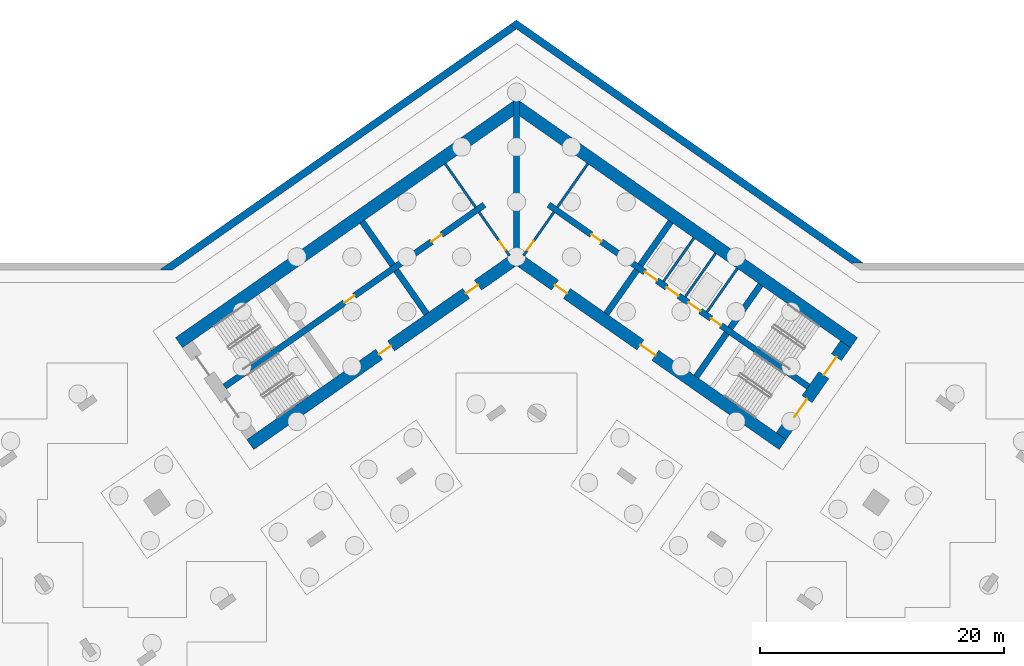
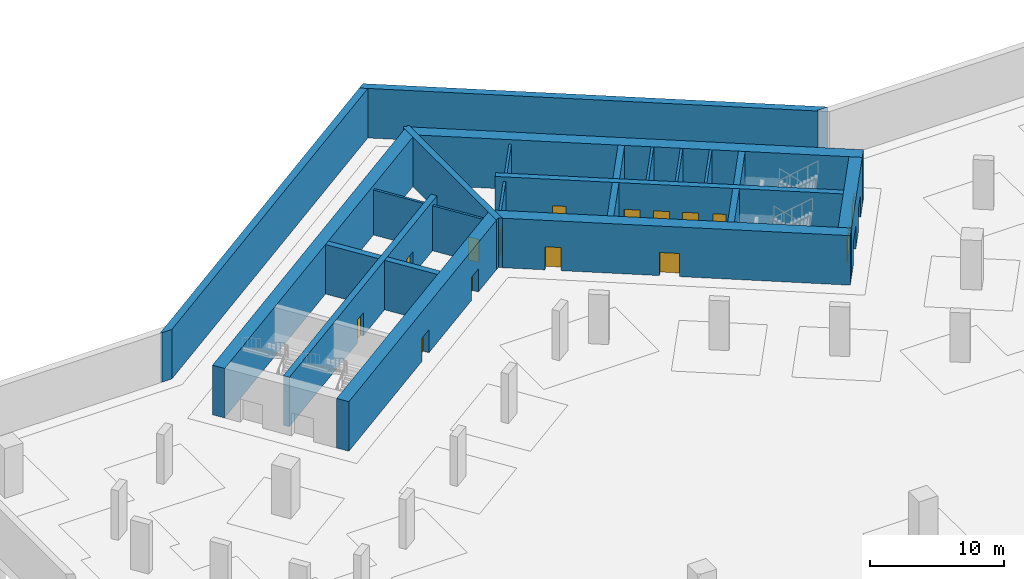
# One storey, part 8 of 13: 23 walls, 15 doors, 15 openings.
"""IFC4 building model written with IfcOpenShell, lengths in metres."""

from ifc_helpers import new_model, si_unit, direction, frame, frame_2d, origin, place, context, subcontext, project, spatial, polyline, rectangle, outline, extrude, material, layer, layer_set, type_object, element, fill, save


model = new_model("IFC4")

# Units and contexts
model_context = context("Model", 3, precision=1e-05, world=origin(), true_north=direction((0.0, 1.0)))
body_context = subcontext(model_context, "Body", "Model", "MODEL_VIEW")
ifc_project = project(units=[si_unit("LENGTHUNIT", "METRE"), si_unit("AREAUNIT", "SQUARE_METRE"), si_unit("VOLUMEUNIT", "CUBIC_METRE"), si_unit("PLANEANGLEUNIT", "RADIAN"), si_unit("MASSUNIT", "GRAM", prefix="KILO")], contexts=[model_context])

# Site, building, storey
site_placement = place(None, origin())
site = spatial("IfcSite", under=ifc_project, at=site_placement, CompositionType="ELEMENT")
building_placement = place(site_placement, origin())
building = spatial("IfcBuilding", under=site, at=building_placement, Name="Tel Ilan Convention Tower", CompositionType="ELEMENT")
storey_placement = place(building_placement, frame((0.0, 0.0, -9.0)))
storey = spatial("IfcBuildingStorey", under=building, at=storey_placement, Name="B2", CompositionType="ELEMENT", Elevation=-9.0)

# Walls
ifc_material_1 = material(Name="Concrete C40/50", Category="concrete")
ifc_layer_1 = layer(ifc_material_1, 0.60009765625)
ifc_layer_set_1 = layer_set([ifc_layer_1], Name="Basement Retaining Wall 600 mm C40/50")
wall_type_1 = type_object("IfcWallType", Name="Basement Retaining Wall 600 mm C40/50", PredefinedType="SOLIDWALL", material=ifc_layer_set_1)
wall_1_placement = place(storey_placement, frame((28.279541015625, -1.24560546875, 0.0), z_axis=(0.0, 0.0, 1.0), x_axis=(-0.819154640404, 0.573572728697, 0.0)))
element("IfcWall", 1, at=wall_1_placement, inside=storey, type_object=wall_type_1, Name="B2 retaining wall 4", PredefinedType="SOLIDWALL", context=body_context, shape_type="SweptSolid", body=[
    extrude(outline(polyline([(5.786865234375, -0.300048828125), (0.0, -0.2998046875), (0.737060546875, 0.21630859375), (0.678466796875, 0.300048828125), (-0.189208984375, 0.300048828125), (34.951171875, 0.300048828125), (34.73291015625, -0.300048828125), (5.786865234375, -0.300048828125)])), origin(), (0.0, 0.0, 1.0), 4.5),
])
wall_2_placement = place(storey_placement, frame((0.172119140625, 18.67626953125, 0.0), z_axis=(0.0, 0.0, 1.0), x_axis=(-0.819154640404, -0.573572728697, 0.0)))
element("IfcWall", 2, at=wall_2_placement, inside=storey, type_object=wall_type_1, Name="B2 retaining wall 5", PredefinedType="SOLIDWALL", context=body_context, shape_type="SweptSolid", body=[
    extrude(outline(polyline([(34.922119140625, 0.300048828125), (35.633056640625, -0.197509765625), (35.633056640625, -0.2998046875), (28.946044921875, -0.300048828125), (0.638427734375, -0.300048828125), (0.420166015625, 0.300048828125), (34.922119140625, 0.300048828125)])), origin(), (0.0, 0.0, 1.0), 4.5),
])

# Wall, opening, door
ifc_material_2 = material(Name="Concrete C30/37", Category="concrete")
ifc_layer_2 = layer(ifc_material_2, 0.199951171875)
ifc_layer_set_2 = layer_set([ifc_layer_2], Name="Core Service Room Wall 200 mm C30/37")
wall_type_2 = type_object("IfcWallType", Name="Core Service Room Wall 200 mm C30/37", PredefinedType="SOLIDWALL", material=ifc_layer_set_2)
wall_3_placement = place(storey_placement, frame((-0.573486328125, -0.401611328125, 0.0), z_axis=(0.0, 0.0, 1.0), x_axis=(-0.57356780395, 0.819158088694, 0.0)))
wall_3 = element("IfcWall", 3, at=wall_3_placement, inside=storey, type_object=wall_type_2, Name="B2 core wall apex-W", PredefinedType="SOLIDWALL", context=body_context, shape_type="SweptSolid", body=[
    extrude(rectangle(XDim=4.35009765625, YDim=0.199951171875, at=frame_2d((2.175048828125, 0.0))), origin(), (0.0, 0.0, 1.0), 4.090087890625),
])
opening_1_placement = place(wall_3_placement, frame((0.550048828125, 0.0, 0.0)))
opening_1 = element("IfcOpeningElement", 4, at=opening_1_placement, cuts=wall_3, Name="Opening CD0102", PredefinedType="OPENING", context=body_context, shape_type="SweptSolid", body=[
    extrude(rectangle(XDim=0.89990234375, YDim=2.10009765625, at=frame_2d((0.449951171875, 1.050048828125))), frame((0.0, 0.10986328125, 0.0), z_axis=(0.0, -1.0, 0.0), x_axis=(1.0, 0.0, 0.0)), (0.0, 0.0, 1.0), 0.219970703125),
])
ifc_material_3 = material(Name="Galvanised Steel Door Leaf", Category="steel")
door_type_1 = type_object("IfcDoorType", Name="Service Room Door 900 x 2100 FD60", OperationType="NOTDEFINED", PredefinedType="DOOR", material=ifc_material_3)
door_1_placement = place(opening_1_placement, origin())
door_1 = element("IfcDoor", 5, at=door_1_placement, inside=storey, type_object=door_type_1, Name="Pump Room door", OperationType="SINGLE_SWING_RIGHT", OverallHeight=2.10009765625, OverallWidth=0.89990234375, PredefinedType="DOOR", context=body_context, shape_type="SweptSolid", body=[
    extrude(rectangle(XDim=0.89990234375, YDim=2.10009765625, at=frame_2d((0.449951171875, 1.050048828125))), frame((0.0, 0.02490234375, 0.0), z_axis=(0.0, -1.0, 0.0), x_axis=(1.0, 0.0, 0.0)), (0.0, 0.0, 1.0), 0.050048828125),
])
fill(opening_1, door_1)

# Wall
wall_4_placement = place(storey_placement, frame((-3.355224609375, 3.5712890625, 0.0), z_axis=(0.0, 0.0, 1.0), x_axis=(-0.57356780395, 0.819158088694, 0.0)))
element("IfcWall", 6, at=wall_4_placement, inside=storey, type_object=wall_type_2, Name="B2 core wall apex-W-b", PredefinedType="SOLIDWALL", context=body_context, shape_type="SweptSolid", body=[
    extrude(rectangle(XDim=4.35009765625, YDim=0.199951171875, at=frame_2d((2.175048828125, 0.0))), origin(), (0.0, 0.0, 1.0), 4.090087890625),
])

# Wall, opening, door
wall_5_placement = place(storey_placement, frame((0.573486328125, -0.401611328125, 0.0), z_axis=(0.0, 0.0, 1.0), x_axis=(0.57356780395, 0.819158088694, 0.0)))
wall_5 = element("IfcWall", 7, at=wall_5_placement, inside=storey, type_object=wall_type_2, Name="B2 core wall apex-E", PredefinedType="SOLIDWALL", context=body_context, shape_type="SweptSolid", body=[
    extrude(rectangle(XDim=4.35009765625, YDim=0.199951171875, at=frame_2d((2.175048828125, 0.0))), origin(), (0.0, 0.0, 1.0), 4.090087890625),
])
opening_2_placement = place(wall_5_placement, frame((0.550048828125, 0.0, 0.0)))
opening_2 = element("IfcOpeningElement", 8, at=opening_2_placement, cuts=wall_5, Name="Opening CD0101", PredefinedType="OPENING", context=body_context, shape_type="SweptSolid", body=[
    extrude(rectangle(XDim=0.89990234375, YDim=2.10009765625, at=frame_2d((0.449951171875, 1.050048828125))), frame((0.0, 0.10986328125, 0.0), z_axis=(0.0, -1.0, 0.0), x_axis=(1.0, 0.0, 0.0)), (0.0, 0.0, 1.0), 0.219970703125),
])
door_2_placement = place(opening_2_placement, origin())
door_2 = element("IfcDoor", 9, at=door_2_placement, inside=storey, type_object=door_type_1, Name="Sump and Sprinkler Control Room door", OperationType="SINGLE_SWING_RIGHT", OverallHeight=2.10009765625, OverallWidth=0.89990234375, PredefinedType="DOOR", context=body_context, shape_type="SweptSolid", body=[
    extrude(rectangle(XDim=0.89990234375, YDim=2.10009765625, at=frame_2d((0.449951171875, 1.050048828125))), frame((0.0, 0.02490234375, 0.0), z_axis=(0.0, -1.0, 0.0), x_axis=(1.0, 0.0, 0.0)), (0.0, 0.0, 1.0), 0.050048828125),
])
fill(opening_2, door_2)

# Walls
wall_6_placement = place(storey_placement, frame((3.355224609375, 3.5712890625, 0.0), z_axis=(0.0, 0.0, 1.0), x_axis=(0.57356780395, 0.819158088694, 0.0)))
element("IfcWall", 10, at=wall_6_placement, inside=storey, type_object=wall_type_2, Name="B2 core wall apex-E-b", PredefinedType="SOLIDWALL", context=body_context, shape_type="SweptSolid", body=[
    extrude(rectangle(XDim=4.35009765625, YDim=0.199951171875, at=frame_2d((2.175048828125, 0.0))), origin(), (0.0, 0.0, 1.0), 4.090087890625),
])
ifc_material_4 = material(Name="Concrete C60/75", Category="concrete")
ifc_layer_3 = layer(ifc_material_4, 1.0)
ifc_layer_set_3 = layer_set([ifc_layer_3], Name="Core Shear Wall 1000 mm C60/75")
wall_type_3 = type_object("IfcWallType", Name="Core Shear Wall 1000 mm C60/75", PredefinedType="SHEAR", material=ifc_layer_set_3)
wall_7_placement = place(storey_placement, frame((0.036865234375, 11.8671875, 0.0), z_axis=(0.0, 0.0, 1.0), x_axis=(-0.819155306259, -0.573571777746, 0.0)))
element("IfcWall", 11, at=wall_7_placement, inside=storey, type_object=wall_type_3, Name="B2 core wall W-back", PredefinedType="SHEAR", context=body_context, shape_type="SweptSolid", body=[
    extrude(outline(polyline([(33.8369140625, 0.5), (0.7001953125, 0.499755859375), (0.0, -0.5), (33.8369140625, -0.5), (33.8369140625, 0.5)])), origin(), (0.0, 0.0, 1.0), 4.5),
])

# Wall, openings, doors
wall_8_placement = place(storey_placement, frame((0.036865234375, -0.584716796875, 0.0), z_axis=(0.0, 0.0, 1.0), x_axis=(-0.819157152511, -0.573569140985, 0.0)))
wall_8 = element("IfcWall", 12, at=wall_8_placement, inside=storey, type_object=wall_type_3, Name="B2 core wall W-front", PredefinedType="SHEAR", context=body_context, shape_type="SweptSolid", body=[
    extrude(outline(polyline([(26.69482421875, 0.500244140625), (0.7001953125, 0.499755859375), (0.0, -0.5), (26.69482421875, -0.499755859375), (26.69482421875, 0.500244140625)])), origin(), (0.0, 0.0, 1.0), 4.5),
])
opening_3_placement = place(wall_8_placement, frame((3.894775390625, 0.0, 0.0)))
opening_3 = element("IfcOpeningElement", 13, at=opening_3_placement, cuts=wall_8, Name="Opening CD0105", PredefinedType="OPENING", context=body_context, shape_type="SweptSolid", body=[
    extrude(rectangle(XDim=1.199951171875, YDim=2.10009765625, at=frame_2d((0.60009765625, 1.050048828125))), frame((0.0, 0.510009765625, 0.0), z_axis=(0.0, -1.0, 0.0), x_axis=(1.0, 0.0, 0.0)), (0.0, 0.0, 1.0), 1.02001953125),
])
opening_4_placement = place(wall_8_placement, frame((12.5947265625, 0.0, 0.0)))
opening_4 = element("IfcOpeningElement", 14, at=opening_4_placement, cuts=wall_8, Name="Opening CD0106", PredefinedType="OPENING", context=body_context, shape_type="SweptSolid", body=[
    extrude(rectangle(XDim=1.199951171875, YDim=2.10009765625, at=frame_2d((0.60009765625, 1.050048828125))), frame((0.0, 0.510009765625, 0.0), z_axis=(0.0, -1.0, 0.0), x_axis=(1.0, 0.0, 0.0)), (0.0, 0.0, 1.0), 1.02001953125),
])
ifc_material_5 = material(Name="Galvanised Steel Door Leaf", Category="steel")
door_type_2 = type_object("IfcDoorType", Name="Service Room Door 1200 x 2100 FD60", OperationType="NOTDEFINED", PredefinedType="DOOR", material=ifc_material_5)
door_3_placement = place(opening_3_placement, origin())
door_3 = element("IfcDoor", 15, at=door_3_placement, inside=storey, type_object=door_type_2, Name="Plant Room W1 door", OperationType="SINGLE_SWING_RIGHT", OverallHeight=2.10009765625, OverallWidth=1.199951171875, PredefinedType="DOOR", context=body_context, shape_type="SweptSolid", body=[
    extrude(rectangle(XDim=1.199951171875, YDim=2.10009765625, at=frame_2d((0.60009765625, 1.050048828125))), frame((0.0, 0.02490234375, 0.0), z_axis=(0.0, -1.0, 0.0), x_axis=(1.0, 0.0, 0.0)), (0.0, 0.0, 1.0), 0.050048828125),
])
fill(opening_3, door_3)
door_4_placement = place(opening_4_placement, origin())
door_4 = element("IfcDoor", 16, at=door_4_placement, inside=storey, type_object=door_type_2, Name="Plant Room W2 door", OperationType="SINGLE_SWING_RIGHT", OverallHeight=2.10009765625, OverallWidth=1.199951171875, PredefinedType="DOOR", context=body_context, shape_type="SweptSolid", body=[
    extrude(rectangle(XDim=1.199951171875, YDim=2.10009765625, at=frame_2d((0.60009765625, 1.050048828125))), frame((0.0, 0.02490234375, 0.0), z_axis=(0.0, -1.0, 0.0), x_axis=(1.0, 0.0, 0.0)), (0.0, 0.0, 1.0), 0.050048828125),
])
fill(opening_4, door_4)

# Wall
wall_9_placement = place(storey_placement, frame((-0.036865234375, 11.8671875, 0.0), z_axis=(0.0, 0.0, 1.0), x_axis=(0.819155306259, -0.573571777746, 0.0)))
element("IfcWall", 17, at=wall_9_placement, inside=storey, type_object=wall_type_3, Name="B2 core wall E-back", PredefinedType="SHEAR", context=body_context, shape_type="SweptSolid", body=[
    extrude(outline(polyline([(33.8369140625, 0.5), (0.0, 0.5), (0.7001953125, -0.499755859375), (33.8369140625, -0.5), (33.8369140625, 0.5)])), origin(), (0.0, 0.0, 1.0), 4.5),
])

# Wall, openings, doors
wall_10_placement = place(storey_placement, frame((-0.036865234375, -0.584716796875, 0.0), z_axis=(0.0, 0.0, 1.0), x_axis=(0.819157152511, -0.573569140985, 0.0)))
wall_10 = element("IfcWall", 18, at=wall_10_placement, inside=storey, type_object=wall_type_3, Name="B2 core wall E-front", PredefinedType="SHEAR", context=body_context, shape_type="SweptSolid", body=[
    extrude(outline(polyline([(26.69482421875, 0.499755859375), (0.0, 0.5), (0.7001953125, -0.499755859375), (26.69482421875, -0.500244140625), (26.69482421875, 0.499755859375)])), origin(), (0.0, 0.0, 1.0), 4.5),
])
opening_5_placement = place(wall_10_placement, frame((3.894775390625, 0.0, 0.0)))
opening_5 = element("IfcOpeningElement", 19, at=opening_5_placement, cuts=wall_10, Name="Opening CD0103", PredefinedType="OPENING", context=body_context, shape_type="SweptSolid", body=[
    extrude(rectangle(XDim=1.199951171875, YDim=2.10009765625, at=frame_2d((0.60009765625, 1.050048828125))), frame((0.0, 0.510009765625, 0.0), z_axis=(0.0, -1.0, 0.0), x_axis=(1.0, 0.0, 0.0)), (0.0, 0.0, 1.0), 1.02001953125),
])
opening_6_placement = place(wall_10_placement, frame((12.44482421875, 0.0, 0.0)))
opening_6 = element("IfcOpeningElement", 20, at=opening_6_placement, cuts=wall_10, Name="Opening CD0104", PredefinedType="OPENING", context=body_context, shape_type="SweptSolid", body=[
    extrude(rectangle(XDim=1.5, YDim=2.10009765625, at=frame_2d((0.75, 1.050048828125))), frame((0.0, 0.510009765625, 0.0), z_axis=(0.0, -1.0, 0.0), x_axis=(1.0, 0.0, 0.0)), (0.0, 0.0, 1.0), 1.02001953125),
])
ifc_material_6 = material(Name="Glazed Aluminium Door Leaf", Category="aluminium")
door_type_3 = type_object("IfcDoorType", Name="Lobby Opening Door 1500 x 2100 FD60S", OperationType="NOTDEFINED", PredefinedType="DOOR", material=ifc_material_6)
door_5_placement = place(opening_6_placement, origin())
door_5 = element("IfcDoor", 21, at=door_5_placement, inside=storey, type_object=door_type_3, Name="Firefighting Lobby door", OperationType="DOUBLE_DOOR_SINGLE_SWING", OverallHeight=2.10009765625, OverallWidth=1.5, PredefinedType="DOOR", context=body_context, shape_type="SweptSolid", body=[
    extrude(rectangle(XDim=1.5, YDim=2.10009765625, at=frame_2d((0.75, 1.050048828125))), frame((0.0, 0.02490234375, 0.0), z_axis=(0.0, -1.0, 0.0), x_axis=(1.0, 0.0, 0.0)), (0.0, 0.0, 1.0), 0.050048828125),
])
fill(opening_6, door_5)
door_6_placement = place(opening_5_placement, origin())
door_6 = element("IfcDoor", 22, at=door_6_placement, inside=storey, type_object=door_type_2, Name="Plant Room E1 door", OperationType="SINGLE_SWING_RIGHT", OverallHeight=2.10009765625, OverallWidth=1.199951171875, PredefinedType="DOOR", context=body_context, shape_type="SweptSolid", body=[
    extrude(rectangle(XDim=1.199951171875, YDim=2.10009765625, at=frame_2d((0.60009765625, 1.050048828125))), frame((0.0, 0.02490234375, 0.0), z_axis=(0.0, -1.0, 0.0), x_axis=(1.0, 0.0, 0.0)), (0.0, 0.0, 1.0), 0.050048828125),
])
fill(opening_5, door_6)

wall_11_placement = place(storey_placement, frame((21.70751953125, -15.19970703125, 0.0), z_axis=(0.0, 0.0, 1.0), x_axis=(0.573576324356, 0.819152122709, 0.0)))
wall_11 = element("IfcWall", 23, at=wall_11_placement, inside=storey, type_object=wall_type_3, Name="B2 core wall E-end", PredefinedType="SHEAR", context=body_context, shape_type="SweptSolid", body=[
    extrude(outline(polyline([(9.199951171875, 0.5), (0.0, 0.5), (0.0, -0.5), (9.199951171875, -0.5), (9.199951171875, 0.5)])), origin(), (0.0, 0.0, 1.0), 4.5),
])
opening_7_placement = place(wall_11_placement, frame((6.10009765625, 0.0, 0.0)))
opening_7 = element("IfcOpeningElement", 24, at=opening_7_placement, cuts=wall_11, Name="Opening SD0103", PredefinedType="OPENING", context=body_context, shape_type="SweptSolid", body=[
    extrude(rectangle(XDim=1.800048828125, YDim=2.10009765625, at=frame_2d((0.89990234375, 1.050048828125))), frame((0.0, 0.510009765625, 0.0), z_axis=(0.0, -1.0, 0.0), x_axis=(1.0, 0.0, 0.0)), (0.0, 0.0, 1.0), 1.02001953125),
])
opening_8_placement = place(wall_11_placement, frame((1.89990234375, 0.0, 0.0)))
opening_8 = element("IfcOpeningElement", 25, at=opening_8_placement, cuts=wall_11, Name="Opening SD0104", PredefinedType="OPENING", context=body_context, shape_type="SweptSolid", body=[
    extrude(rectangle(XDim=1.800048828125, YDim=2.10009765625, at=frame_2d((0.89990234375, 1.050048828125))), frame((0.0, 0.510009765625, 0.0), z_axis=(0.0, -1.0, 0.0), x_axis=(1.0, 0.0, 0.0)), (0.0, 0.0, 1.0), 1.02001953125),
])
ifc_material_7 = material(Name="Galvanised Steel Door Leaf", Category="steel")
door_type_4 = type_object("IfcDoorType", Name="Stair Fire Door 1800 x 2100 FD60S", OperationType="NOTDEFINED", PredefinedType="DOOR", material=ifc_material_7)
door_7_placement = place(opening_7_placement, origin())
door_7 = element("IfcDoor", 26, at=door_7_placement, inside=storey, type_object=door_type_4, Name="Stair S3 door", OperationType="DOUBLE_DOOR_SINGLE_SWING", OverallHeight=2.10009765625, OverallWidth=1.800048828125, PredefinedType="DOOR", context=body_context, shape_type="SweptSolid", body=[
    extrude(rectangle(XDim=1.800048828125, YDim=2.10009765625, at=frame_2d((0.89990234375, 1.050048828125))), frame((0.0, 0.02490234375, 0.0), z_axis=(0.0, -1.0, 0.0), x_axis=(1.0, 0.0, 0.0)), (0.0, 0.0, 1.0), 0.050048828125),
])
fill(opening_7, door_7)
door_8_placement = place(opening_8_placement, origin())
door_8 = element("IfcDoor", 27, at=door_8_placement, inside=storey, type_object=door_type_4, Name="Stair S4 door", OperationType="DOUBLE_DOOR_SINGLE_SWING", OverallHeight=2.10009765625, OverallWidth=1.800048828125, PredefinedType="DOOR", context=body_context, shape_type="SweptSolid", body=[
    extrude(rectangle(XDim=1.800048828125, YDim=2.10009765625, at=frame_2d((0.89990234375, 1.050048828125))), frame((0.0, 0.02490234375, 0.0), z_axis=(0.0, -1.0, 0.0), x_axis=(1.0, 0.0, 0.0)), (0.0, 0.0, 1.0), 0.050048828125),
])
fill(opening_8, door_8)

# Walls
ifc_material_8 = material(Name="Concrete C60/75", Category="concrete")
ifc_layer_4 = layer(ifc_material_8, 0.5)
ifc_layer_set_4 = layer_set([ifc_layer_4], Name="Core Shear Wall 500 mm C60/75")
wall_type_4 = type_object("IfcWallType", Name="Core Shear Wall 500 mm C60/75", PredefinedType="SHEAR", material=ifc_layer_set_4)
wall_12_placement = place(storey_placement, frame((-7.372314453125, -5.162109375, 0.0), z_axis=(0.0, 0.0, 1.0), x_axis=(-0.573594173421, 0.819139624372, 0.0)))
element("IfcWall", 28, at=wall_12_placement, inside=storey, type_object=wall_type_4, Name="B2 core wall W-cross1-1", PredefinedType="SHEAR", context=body_context, shape_type="SweptSolid", body=[
    extrude(outline(polyline([(4.349853515625, 0.25), (0.0, 0.250244140625), (0.0, -0.25), (4.349853515625, -0.25), (4.349853515625, 0.25)])), origin(), (0.0, 0.0, 1.0), 4.5),
])
wall_13_placement = place(storey_placement, frame((-10.154296875, -1.189208984375, 0.0), z_axis=(0.0, 0.0, 1.0), x_axis=(-0.573594173421, 0.819139624372, 0.0)))
element("IfcWall", 29, at=wall_13_placement, inside=storey, type_object=wall_type_4, Name="B2 core wall W-cross1-2", PredefinedType="SHEAR", context=body_context, shape_type="SweptSolid", body=[
    extrude(outline(polyline([(4.349853515625, -0.25), (4.349853515625, 0.25), (-0.000244140625, 0.25), (-0.000244140625, -0.25), (4.349853515625, -0.25)])), origin(), (0.0, 0.0, 1.0), 4.5),
])

# Wall, openings, doors
wall_14_placement = place(storey_placement, frame((-2.638427734375, 3.76806640625, 0.0), z_axis=(0.0, 0.0, 1.0), x_axis=(-0.819148977158, -0.573580816643, 0.0)))
wall_14 = element("IfcWall", 30, at=wall_14_placement, inside=storey, type_object=wall_type_4, Name="B2 core wall W-spine", PredefinedType="SHEAR", context=body_context, shape_type="SweptSolid", body=[
    extrude(outline(polyline([(26.0, 0.249755859375), (0.0, 0.25), (0.0, -0.25), (26.0, -0.250244140625), (26.0, 0.249755859375)])), origin(), (0.0, 0.0, 1.0), 4.5),
])
opening_9_placement = place(wall_14_placement, frame((4.27490234375, 0.0, 0.0)))
opening_9 = element("IfcOpeningElement", 31, at=opening_9_placement, cuts=wall_14, Name="Opening CD0109", PredefinedType="OPENING", context=body_context, shape_type="SweptSolid", body=[
    extrude(rectangle(XDim=1.0, YDim=2.10009765625, at=frame_2d((0.5, 1.050048828125))), frame((0.0, 0.260009765625, 0.0), z_axis=(0.0, -1.0, 0.0), x_axis=(1.0, 0.0, 0.0)), (0.0, 0.0, 1.0), 0.52001953125),
])
opening_10_placement = place(wall_14_placement, frame((13.0, 0.0, 0.0)))
opening_10 = element("IfcOpeningElement", 32, at=opening_10_placement, cuts=wall_14, Name="Opening CD0110", PredefinedType="OPENING", context=body_context, shape_type="SweptSolid", body=[
    extrude(rectangle(XDim=1.0, YDim=2.10009765625, at=frame_2d((0.5, 1.050048828125))), frame((0.0, 0.260009765625, 0.0), z_axis=(0.0, -1.0, 0.0), x_axis=(1.0, 0.0, 0.0)), (0.0, 0.0, 1.0), 0.52001953125),
])
ifc_material_9 = material(Name="Galvanised Steel Door Leaf", Category="steel")
door_type_5 = type_object("IfcDoorType", Name="Service Room Door 1000 x 2100 FD60", OperationType="NOTDEFINED", PredefinedType="DOOR", material=ifc_material_9)
door_9_placement = place(opening_9_placement, origin())
door_9 = element("IfcDoor", 33, at=door_9_placement, inside=storey, type_object=door_type_5, Name="Plant Room door", OperationType="SINGLE_SWING_RIGHT", OverallHeight=2.10009765625, OverallWidth=1.0, PredefinedType="DOOR", context=body_context, shape_type="SweptSolid", body=[
    extrude(rectangle(XDim=1.0, YDim=2.10009765625, at=frame_2d((0.5, 1.050048828125))), frame((0.0, 0.02490234375, 0.0), z_axis=(0.0, -1.0, 0.0), x_axis=(1.0, 0.0, 0.0)), (0.0, 0.0, 1.0), 0.050048828125),
])
fill(opening_9, door_9)
door_10_placement = place(opening_10_placement, origin())
door_10 = element("IfcDoor", 34, at=door_10_placement, inside=storey, type_object=door_type_5, Name="Plant Room door", OperationType="SINGLE_SWING_RIGHT", OverallHeight=2.10009765625, OverallWidth=1.0, PredefinedType="DOOR", context=body_context, shape_type="SweptSolid", body=[
    extrude(rectangle(XDim=1.0, YDim=2.10009765625, at=frame_2d((0.5, 1.050048828125))), frame((0.0, 0.02490234375, 0.0), z_axis=(0.0, -1.0, 0.0), x_axis=(1.0, 0.0, 0.0)), (0.0, 0.0, 1.0), 0.050048828125),
])
fill(opening_10, door_10)

# Walls
wall_15_placement = place(storey_placement, frame((7.372314453125, -5.162109375, 0.0), z_axis=(0.0, 0.0, 1.0), x_axis=(0.573594173421, 0.819139624372, 0.0)))
element("IfcWall", 35, at=wall_15_placement, inside=storey, type_object=wall_type_4, Name="B2 core wall E-cross1-1", PredefinedType="SHEAR", context=body_context, shape_type="SweptSolid", body=[
    extrude(outline(polyline([(0.0, 0.25), (0.0, -0.250244140625), (4.349853515625, -0.25), (4.349853515625, 0.25), (0.0, 0.25)])), origin(), (0.0, 0.0, 1.0), 4.5),
])
wall_16_placement = place(storey_placement, frame((10.154296875, -1.189208984375, 0.0), z_axis=(0.0, 0.0, 1.0), x_axis=(0.573594173421, 0.819139624372, 0.0)))
element("IfcWall", 36, at=wall_16_placement, inside=storey, type_object=wall_type_4, Name="B2 core wall E-cross1-2", PredefinedType="SHEAR", context=body_context, shape_type="SweptSolid", body=[
    extrude(outline(polyline([(4.349853515625, -0.25), (4.349853515625, 0.25), (-0.000244140625, 0.25), (-0.000244140625, -0.25), (4.349853515625, -0.25)])), origin(), (0.0, 0.0, 1.0), 4.5),
])
wall_17_placement = place(storey_placement, frame((14.74462890625, -10.324462890625, 0.0), z_axis=(0.0, 0.0, 1.0), x_axis=(0.57356780395, 0.819158088694, 0.0)))
element("IfcWall", 37, at=wall_17_placement, inside=storey, type_object=wall_type_4, Name="B2 core wall E-cross2-1", PredefinedType="SHEAR", context=body_context, shape_type="SweptSolid", body=[
    extrude(outline(polyline([(0.0, 0.25), (0.0, -0.25), (4.35009765625, -0.250244140625), (4.35009765625, 0.25), (0.0, 0.25)])), origin(), (0.0, 0.0, 1.0), 4.5),
])
wall_18_placement = place(storey_placement, frame((17.526611328125, -6.3515625, 0.0), z_axis=(0.0, 0.0, 1.0), x_axis=(0.573530143085, 0.819184457233, 0.0)))
element("IfcWall", 38, at=wall_18_placement, inside=storey, type_object=wall_type_4, Name="B2 core wall E-cross2-2", PredefinedType="SHEAR", context=body_context, shape_type="SweptSolid", body=[
    extrude(outline(polyline([(4.35009765625, -0.250244140625), (4.35009765625, 0.249755859375), (0.0, 0.25), (0.0, -0.25), (4.35009765625, -0.250244140625)])), origin(), (0.0, 0.0, 1.0), 4.5),
])

# Wall, openings, doors
wall_19_placement = place(storey_placement, frame((2.638427734375, 3.76806640625, 0.0), z_axis=(0.0, 0.0, 1.0), x_axis=(0.819148977158, -0.573580816643, 0.0)))
wall_19 = element("IfcWall", 39, at=wall_19_placement, inside=storey, type_object=wall_type_4, Name="B2 core wall E-spine", PredefinedType="SHEAR", context=body_context, shape_type="SweptSolid", body=[
    extrude(outline(polyline([(0.0, 0.25), (0.0, -0.25), (26.0, -0.249755859375), (26.0, 0.250244140625), (0.0, 0.25)])), origin(), (0.0, 0.0, 1.0), 4.5),
])
opening_11_placement = place(wall_19_placement, frame((4.27490234375, 0.0, 0.0)))
opening_11 = element("IfcOpeningElement", 40, at=opening_11_placement, cuts=wall_19, Name="Opening CD0107", PredefinedType="OPENING", context=body_context, shape_type="SweptSolid", body=[
    extrude(rectangle(XDim=1.0, YDim=2.10009765625, at=frame_2d((0.5, 1.050048828125))), frame((0.0, 0.260009765625, 0.0), z_axis=(0.0, -1.0, 0.0), x_axis=(1.0, 0.0, 0.0)), (0.0, 0.0, 1.0), 0.52001953125),
])
opening_12_placement = place(wall_19_placement, frame((9.637451171875, 0.0, 0.0)))
opening_12 = element("IfcOpeningElement", 41, at=opening_12_placement, cuts=wall_19, Name="Opening LD0101", PredefinedType="OPENING", context=body_context, shape_type="SweptSolid", body=[
    extrude(rectangle(XDim=1.199951171875, YDim=2.10009765625, at=frame_2d((0.60009765625, 1.050048828125))), frame((0.0, 0.260009765625, 0.0), z_axis=(0.0, -1.0, 0.0), x_axis=(1.0, 0.0, 0.0)), (0.0, 0.0, 1.0), 0.52001953125),
])
opening_13_placement = place(wall_19_placement, frame((11.8125, 0.0, 0.0)))
opening_13 = element("IfcOpeningElement", 42, at=opening_13_placement, cuts=wall_19, Name="Opening LD0102", PredefinedType="OPENING", context=body_context, shape_type="SweptSolid", body=[
    extrude(rectangle(XDim=1.199951171875, YDim=2.10009765625, at=frame_2d((0.60009765625, 1.050048828125))), frame((0.0, 0.260009765625, 0.0), z_axis=(0.0, -1.0, 0.0), x_axis=(1.0, 0.0, 0.0)), (0.0, 0.0, 1.0), 0.52001953125),
])
opening_14_placement = place(wall_19_placement, frame((13.987548828125, 0.0, 0.0)))
opening_14 = element("IfcOpeningElement", 43, at=opening_14_placement, cuts=wall_19, Name="Opening LD0103", PredefinedType="OPENING", context=body_context, shape_type="SweptSolid", body=[
    extrude(rectangle(XDim=1.199951171875, YDim=2.10009765625, at=frame_2d((0.60009765625, 1.050048828125))), frame((0.0, 0.260009765625, 0.0), z_axis=(0.0, -1.0, 0.0), x_axis=(1.0, 0.0, 0.0)), (0.0, 0.0, 1.0), 0.52001953125),
])
opening_15_placement = place(wall_19_placement, frame((16.262451171875, 0.0, 0.0)))
opening_15 = element("IfcOpeningElement", 44, at=opening_15_placement, cuts=wall_19, Name="Opening CD0108", PredefinedType="OPENING", context=body_context, shape_type="SweptSolid", body=[
    extrude(rectangle(XDim=1.0, YDim=2.10009765625, at=frame_2d((0.5, 1.050048828125))), frame((0.0, 0.260009765625, 0.0), z_axis=(0.0, -1.0, 0.0), x_axis=(1.0, 0.0, 0.0)), (0.0, 0.0, 1.0), 0.52001953125),
])
ifc_material_10 = material(Name="Stainless Steel Sliding Door Leaf", Category="steel")
door_type_6 = type_object("IfcDoorType", Name="Lift Landing Door 1200 x 2100 FD120", OperationType="NOTDEFINED", PredefinedType="DOOR", material=ifc_material_10)
door_11_placement = place(opening_12_placement, origin())
door_11 = element("IfcDoor", 45, at=door_11_placement, inside=storey, type_object=door_type_6, Name="Lift FL1 landing door", OperationType="SLIDING_TO_LEFT", OverallHeight=2.10009765625, OverallWidth=1.199951171875, PredefinedType="DOOR", context=body_context, shape_type="SweptSolid", body=[
    extrude(rectangle(XDim=1.199951171875, YDim=2.10009765625, at=frame_2d((0.60009765625, 1.050048828125))), frame((0.0, 0.02490234375, 0.0), z_axis=(0.0, -1.0, 0.0), x_axis=(1.0, 0.0, 0.0)), (0.0, 0.0, 1.0), 0.050048828125),
])
fill(opening_12, door_11)
door_12_placement = place(opening_13_placement, origin())
door_12 = element("IfcDoor", 46, at=door_12_placement, inside=storey, type_object=door_type_6, Name="Lift FL2 landing door", OperationType="SLIDING_TO_RIGHT", OverallHeight=2.10009765625, OverallWidth=1.199951171875, PredefinedType="DOOR", context=body_context, shape_type="SweptSolid", body=[
    extrude(rectangle(XDim=1.199951171875, YDim=2.10009765625, at=frame_2d((0.60009765625, 1.050048828125))), frame((0.0, 0.02490234375, 0.0), z_axis=(0.0, -1.0, 0.0), x_axis=(1.0, 0.0, 0.0)), (0.0, 0.0, 1.0), 0.050048828125),
])
fill(opening_13, door_12)
door_13_placement = place(opening_14_placement, origin())
door_13 = element("IfcDoor", 47, at=door_13_placement, inside=storey, type_object=door_type_6, Name="Lift FL3 landing door", OperationType="SLIDING_TO_LEFT", OverallHeight=2.10009765625, OverallWidth=1.199951171875, PredefinedType="DOOR", context=body_context, shape_type="SweptSolid", body=[
    extrude(rectangle(XDim=1.199951171875, YDim=2.10009765625, at=frame_2d((0.60009765625, 1.050048828125))), frame((0.0, 0.02490234375, 0.0), z_axis=(0.0, -1.0, 0.0), x_axis=(1.0, 0.0, 0.0)), (0.0, 0.0, 1.0), 0.050048828125),
])
fill(opening_14, door_13)
door_14_placement = place(opening_11_placement, origin())
door_14 = element("IfcDoor", 48, at=door_14_placement, inside=storey, type_object=door_type_5, Name="Plant Room door", OperationType="SINGLE_SWING_RIGHT", OverallHeight=2.10009765625, OverallWidth=1.0, PredefinedType="DOOR", context=body_context, shape_type="SweptSolid", body=[
    extrude(rectangle(XDim=1.0, YDim=2.10009765625, at=frame_2d((0.5, 1.050048828125))), frame((0.0, 0.02490234375, 0.0), z_axis=(0.0, -1.0, 0.0), x_axis=(1.0, 0.0, 0.0)), (0.0, 0.0, 1.0), 0.050048828125),
])
fill(opening_11, door_14)
door_15_placement = place(opening_15_placement, origin())
door_15 = element("IfcDoor", 49, at=door_15_placement, inside=storey, type_object=door_type_5, Name="Plant Room door", OperationType="SINGLE_SWING_RIGHT", OverallHeight=2.10009765625, OverallWidth=1.0, PredefinedType="DOOR", context=body_context, shape_type="SweptSolid", body=[
    extrude(rectangle(XDim=1.0, YDim=2.10009765625, at=frame_2d((0.5, 1.050048828125))), frame((0.0, 0.02490234375, 0.0), z_axis=(0.0, -1.0, 0.0), x_axis=(1.0, 0.0, 0.0)), (0.0, 0.0, 1.0), 0.050048828125),
])
fill(opening_15, door_15)

# Walls
wall_20_placement = place(storey_placement, frame((0.0, -1.395751953125, 0.0), z_axis=(0.0, 0.0, 1.0), x_axis=(0.0, 1.0, 0.0)))
element("IfcWall", 50, at=wall_20_placement, inside=storey, type_object=wall_type_4, Name="B2 core wall K-central", PredefinedType="SHEAR", context=body_context, shape_type="SweptSolid", body=[
    extrude(outline(polyline([(0.0, -0.25), (0.175048828125, -0.25), (1.220703125, -0.25), (12.451904296875, -0.25), (13.84765625, -0.25), (13.85693359375, -0.25), (13.96826171875, -0.172119140625), (13.84765625, 0.0), (13.96826171875, 0.172119140625), (13.85693359375, 0.25), (13.84765625, 0.25), (12.451904296875, 0.25), (1.220703125, 0.25), (0.175048828125, 0.25), (0.0, 0.25), (0.175048828125, 0.0), (0.0, -0.25)])), origin(), (0.0, 0.0, 1.0), 4.5),
])
ifc_material_11 = material(Name="Concrete C30/37", Category="concrete")
ifc_layer_5 = layer(ifc_material_11, 0.199951171875)
ifc_layer_set_5 = layer_set([ifc_layer_5], Name="Lift Shaft Wall 200 mm C30/37")
wall_type_5 = type_object("IfcWallType", Name="Lift Shaft Wall 200 mm C30/37", PredefinedType="SOLIDWALL", material=ifc_layer_set_5)
wall_21_placement = place(storey_placement, frame((12.05859375, -2.52294921875, 0.0), z_axis=(0.0, 0.0, 1.0), x_axis=(0.573594173421, 0.819139624372, 0.0)))
element("IfcWall", 51, at=wall_21_placement, inside=storey, type_object=wall_type_5, Name="B2 core wall bank-E2-p0", PredefinedType="SOLIDWALL", context=body_context, shape_type="SweptSolid", body=[
    extrude(rectangle(XDim=4.349853515625, YDim=0.199951171875, at=frame_2d((2.1748046875, 0.0))), origin(), (0.0, 0.0, 1.0), 4.5),
])
wall_22_placement = place(storey_placement, frame((13.84033203125, -3.7705078125, 0.0), z_axis=(0.0, 0.0, 1.0), x_axis=(0.57356780395, 0.819158088694, 0.0)))
element("IfcWall", 52, at=wall_22_placement, inside=storey, type_object=wall_type_5, Name="B2 core wall bank-E2-p1", PredefinedType="SOLIDWALL", context=body_context, shape_type="SweptSolid", body=[
    extrude(rectangle(XDim=4.35009765625, YDim=0.199951171875, at=frame_2d((2.175048828125, 0.0))), origin(), (0.0, 0.0, 1.0), 4.5),
])
wall_23_placement = place(storey_placement, frame((15.6220703125, -5.017822265625, 0.0), z_axis=(0.0, 0.0, 1.0), x_axis=(0.573594173421, 0.819139624372, 0.0)))
element("IfcWall", 53, at=wall_23_placement, inside=storey, type_object=wall_type_5, Name="B2 core wall bank-E2-p2", PredefinedType="SOLIDWALL", context=body_context, shape_type="SweptSolid", body=[
    extrude(rectangle(XDim=4.349853515625, YDim=0.199951171875, at=frame_2d((2.1748046875, 0.0))), origin(), (0.0, 0.0, 1.0), 4.5),
])

save(model, "model.ifc")
